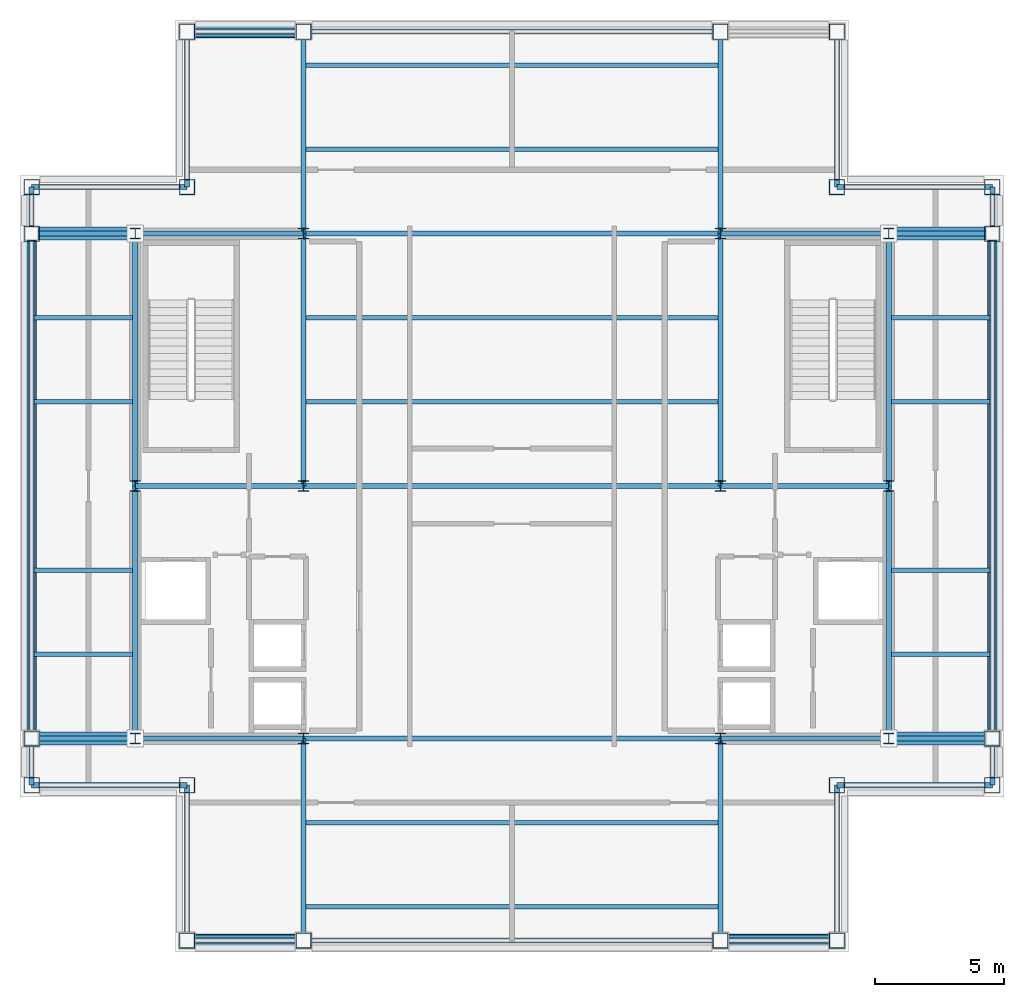
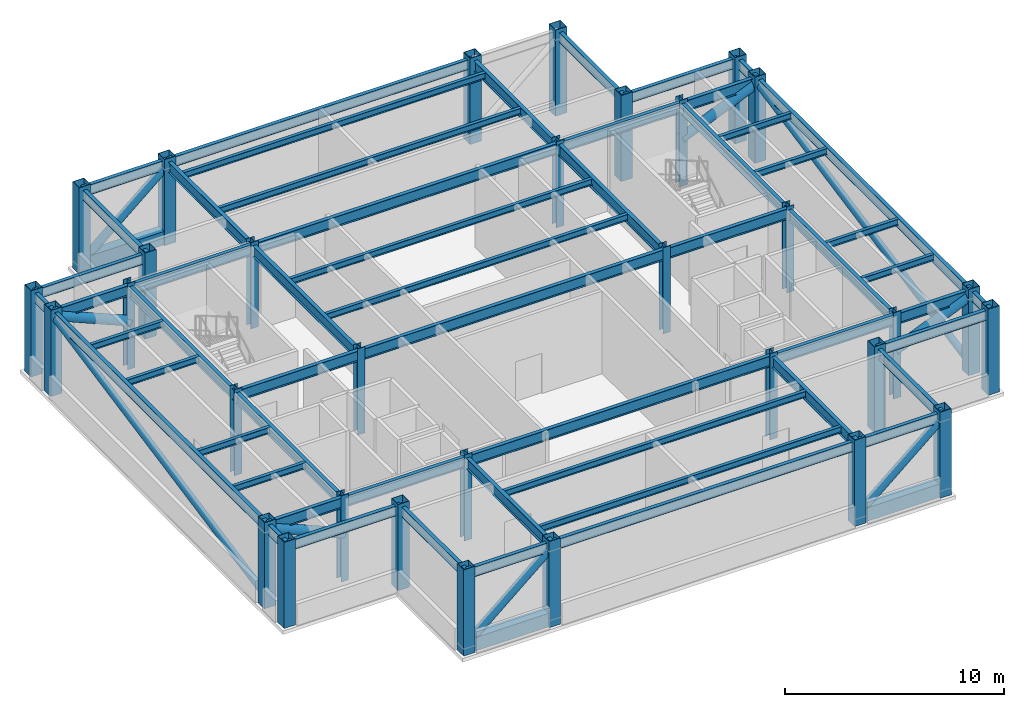
# One storey, part 1 of 6: 56 beams, 32 columns, 12 members.
"""IFC4 building model written with IfcOpenShell, lengths in metres."""

from ifc_helpers import new_model, si_unit, direction, frame, origin, origin_2d, place, context, subcontext, project, spatial, hollow_rectangle, hollow_circle, i_section, extrude, material, material_profile, profile_set, type_object, element, save


model = new_model("IFC4")

# Units and contexts
model_context = context("Model", 3, precision=1e-05, world=origin(), true_north=direction((0.0, 1.0)))
body_context = subcontext(model_context, "Body", "Model", "MODEL_VIEW")
ifc_project = project(units=[si_unit("LENGTHUNIT", "METRE"), si_unit("AREAUNIT", "SQUARE_METRE"), si_unit("VOLUMEUNIT", "CUBIC_METRE"), si_unit("PLANEANGLEUNIT", "RADIAN"), si_unit("MASSUNIT", "GRAM", prefix="KILO")], contexts=[model_context])

# Site, building, storey
site_placement = place(None, origin())
site = spatial("IfcSite", under=ifc_project, at=site_placement, CompositionType="ELEMENT")
building_placement = place(site_placement, origin())
building = spatial("IfcBuilding", under=site, at=building_placement, Name="Brelmoor Portico Tower", CompositionType="ELEMENT")
storey_placement = place(building_placement, frame((0.0, 0.0, 276.0)))
storey = spatial("IfcBuildingStorey", under=building, at=storey_placement, Name="L73", CompositionType="ELEMENT", Elevation=276.0)

# Columns
ifc_material = material(Name="Steel Q355B", Category="steel")
ifc_material_profile_1 = material_profile(ifc_material, hollow_rectangle(XDim=0.60009765625, YDim=0.60009765625, WallThickness=0.02490234375, at=origin_2d()), Name="BOX 600x600x25")
ifc_profile_set_1 = profile_set([ifc_material_profile_1], Name="Steel Q355B")
column_type_1 = type_object("IfcColumnType", Name="COL-MEGA-600", PredefinedType="COLUMN", material=ifc_profile_set_1)
for number, where, z_axis, x_axis, name in (
    (1, (-12.550048828125, -17.550048828125, 0.0), (0.0, 0.0, 1.0), (1.0, 0.0, 0.0), "L73 Perimeter Mega-Column PS01"),
    (2, (-8.050048828125, -17.550048828125, 0.0), (0.0, 0.0, 1.0), (1.0, 0.0, 0.0), "L73 Perimeter Mega-Column PS02"),
    (3, (8.050048828125, -17.550048828125, 0.0), (0.0, 0.0, 1.0), (1.0, 0.0, 0.0), "L73 Perimeter Mega-Column PS03"),
    (4, (12.550048828125, -17.550048828125, 0.0), (0.0, 0.0, 1.0), (1.0, 0.0, 0.0), "L73 Perimeter Mega-Column PS04"),
    (5, (-12.550048828125, 17.550048828125, 0.0), (0.0, 0.0, 1.0), (1.0, 0.0, 0.0), "L73 Perimeter Mega-Column PN01"),
    (6, (-8.050048828125, 17.550048828125, 0.0), (0.0, 0.0, 1.0), (1.0, 0.0, 0.0), "L73 Perimeter Mega-Column PN02"),
    (7, (8.050048828125, 17.550048828125, 0.0), (0.0, 0.0, 1.0), (1.0, 0.0, 0.0), "L73 Perimeter Mega-Column PN03"),
    (8, (12.550048828125, 17.550048828125, 0.0), (0.0, 0.0, 1.0), (1.0, 0.0, 0.0), "L73 Perimeter Mega-Column PN04"),
    (9, (-18.550048828125, -11.550048828125, 0.0), (0.0, 0.0, 1.0), (0.0, 1.0, 0.0), "L73 Perimeter Mega-Column PW01"),
    (10, (-18.550048828125, -9.75, 0.0), (0.0, 0.0, 1.0), (0.0, 1.0, 0.0), "L73 Perimeter Mega-Column PW02"),
    (11, (-18.550048828125, 9.75, 0.0), (0.0, 0.0, 1.0), (0.0, 1.0, 0.0), "L73 Perimeter Mega-Column PW03"),
    (12, (-18.550048828125, 11.550048828125, 0.0), (0.0, 0.0, 1.0), (0.0, 1.0, 0.0), "L73 Perimeter Mega-Column PW04"),
    (13, (18.550048828125, -11.550048828125, 0.0), (0.0, 0.0, 1.0), (0.0, 1.0, 0.0), "L73 Perimeter Mega-Column PE01"),
    (14, (18.550048828125, -9.75, 0.0), (0.0, 0.0, 1.0), (0.0, 1.0, 0.0), "L73 Perimeter Mega-Column PE02"),
    (15, (18.550048828125, 9.75, 0.0), (0.0, 0.0, 1.0), (0.0, 1.0, 0.0), "L73 Perimeter Mega-Column PE03"),
    (16, (18.550048828125, 11.550048828125, 0.0), (0.0, 0.0, 1.0), (0.0, 1.0, 0.0), "L73 Perimeter Mega-Column PE04"),
    (17, (-12.550048828125, 11.550048828125, 0.0), (0.0, 0.0, 1.0), (1.0, 0.0, 0.0), "L73 Perimeter Mega-Column PC-NW"),
    (18, (12.550048828125, 11.550048828125, 0.0), (0.0, 0.0, 1.0), (1.0, 0.0, 0.0), "L73 Perimeter Mega-Column PC-NE"),
    (19, (12.550048828125, -11.550048828125, 0.0), (0.0, 0.0, 1.0), (1.0, 0.0, 0.0), "L73 Perimeter Mega-Column PC-SE"),
    (20, (-12.550048828125, -11.550048828125, 0.0), (0.0, 0.0, 1.0), (1.0, 0.0, 0.0), "L73 Perimeter Mega-Column PC-SW"),
):
    element("IfcColumn", number, at=place(storey_placement, frame(where, z_axis=z_axis, x_axis=x_axis)), inside=storey, type_object=column_type_1, Name=name, PredefinedType="COLUMN", context=body_context, shape_type="SweptSolid", body=[
        extrude(hollow_rectangle(XDim=0.60009765625, YDim=0.60009765625, WallThickness=0.02490234375, at=origin_2d()), origin(), (0.0, 0.0, 1.0), 4.800048828125),
    ])
ifc_material_profile_2 = material_profile(ifc_material, i_section(OverallWidth=0.39990234375, OverallDepth=0.39990234375, WebThickness=0.012939453125, FlangeThickness=0.02099609375, at=origin_2d()), Name="HW 400x400x13x21")
ifc_profile_set_2 = profile_set([ifc_material_profile_2], Name="Steel Q355B")
column_type_2 = type_object("IfcColumnType", Name="COL-SPINE-400", PredefinedType="COLUMN", material=ifc_profile_set_2)
for number, where, z_axis, x_axis, name in (
    (21, (-14.550048828125, -9.75, 0.0), (0.0, 0.0, 1.0), (1.0, 0.0, 0.0), "L73 Core Spine Column CW-SW"),
    (22, (-14.550048828125, 0.0, 0.0), (0.0, 0.0, 1.0), (1.0, 0.0, 0.0), "L73 Core Spine Column CW-MW"),
    (23, (-14.550048828125, 9.75, 0.0), (0.0, 0.0, 1.0), (1.0, 0.0, 0.0), "L73 Core Spine Column CW-NW"),
    (24, (-8.050048828125, -9.75, 0.0), (0.0, 0.0, 1.0), (1.0, 0.0, 0.0), "L73 Core Spine Column CW-SE"),
    (25, (-8.050048828125, 0.0, 0.0), (0.0, 0.0, 1.0), (1.0, 0.0, 0.0), "L73 Core Spine Column CW-ME"),
    (26, (-8.050048828125, 9.75, 0.0), (0.0, 0.0, 1.0), (1.0, 0.0, 0.0), "L73 Core Spine Column CW-NE"),
    (27, (8.050048828125, -9.75, 0.0), (0.0, 0.0, 1.0), (1.0, 0.0, 0.0), "L73 Core Spine Column CE-SW"),
    (28, (8.050048828125, 0.0, 0.0), (0.0, 0.0, 1.0), (1.0, 0.0, 0.0), "L73 Core Spine Column CE-MW"),
    (29, (8.050048828125, 9.75, 0.0), (0.0, 0.0, 1.0), (1.0, 0.0, 0.0), "L73 Core Spine Column CE-NW"),
    (30, (14.550048828125, -9.75, 0.0), (0.0, 0.0, 1.0), (1.0, 0.0, 0.0), "L73 Core Spine Column CE-SE"),
    (31, (14.550048828125, 0.0, 0.0), (0.0, 0.0, 1.0), (1.0, 0.0, 0.0), "L73 Core Spine Column CE-ME"),
    (32, (14.550048828125, 9.75, 0.0), (0.0, 0.0, 1.0), (1.0, 0.0, 0.0), "L73 Core Spine Column CE-NE"),
):
    element("IfcColumn", number, at=place(storey_placement, frame(where, z_axis=z_axis, x_axis=x_axis)), inside=storey, type_object=column_type_2, Name=name, PredefinedType="COLUMN", context=body_context, shape_type="SweptSolid", body=[
        extrude(i_section(OverallWidth=0.39990234375, OverallDepth=0.39990234375, WebThickness=0.012939453125, FlangeThickness=0.02099609375, at=origin_2d()), origin(), (0.0, 0.0, 1.0), 4.800048828125),
    ])

# Beams
ifc_material_profile_3 = material_profile(ifc_material, i_section(OverallWidth=0.175048828125, OverallDepth=0.35009765625, WebThickness=0.007080078125, FlangeThickness=0.010986328125, at=origin_2d()), Name="HN 350x175x7x11")
ifc_profile_set_3 = profile_set([ifc_material_profile_3], Name="Steel Q355B")
beam_type_1 = type_object("IfcBeamType", Name="BM-JS-350", PredefinedType="JOIST", material=ifc_profile_set_3)
for number, where, z_axis, x_axis, name in (
    (33, (-7.949951171875, -16.25, 4.425048828125), (1.0, 0.0, 0.0), (0.0, 1.0, 0.0), "L73 Secondary Composite Joist JS-C01"),
    (34, (-7.949951171875, -13.0, 4.425048828125), (1.0, 0.0, 0.0), (0.0, 1.0, 0.0), "L73 Secondary Composite Joist JS-C02"),
    (35, (-7.949951171875, 3.25, 4.425048828125), (1.0, 0.0, 0.0), (0.0, 1.0, 0.0), "L73 Secondary Composite Joist JS-C03"),
    (36, (-7.949951171875, 6.5, 4.425048828125), (1.0, 0.0, 0.0), (0.0, 1.0, 0.0), "L73 Secondary Composite Joist JS-C04"),
    (37, (-7.949951171875, 13.0, 4.425048828125), (1.0, 0.0, 0.0), (0.0, 1.0, 0.0), "L73 Secondary Composite Joist JS-C05"),
    (38, (-7.949951171875, 16.25, 4.425048828125), (1.0, 0.0, 0.0), (0.0, 1.0, 0.0), "L73 Secondary Composite Joist JS-C06"),
):
    element("IfcBeam", number, at=place(storey_placement, frame(where, z_axis=z_axis, x_axis=x_axis)), inside=storey, type_object=beam_type_1, Name=name, PredefinedType="JOIST", context=body_context, shape_type="SweptSolid", body=[
        extrude(i_section(OverallWidth=0.175048828125, OverallDepth=0.35009765625, WebThickness=0.007080078125, FlangeThickness=0.010986328125, at=origin_2d()), origin(), (0.0, 0.0, 1.0), 15.89990234375),
    ])
for number, where, z_axis, x_axis, name in (
    (39, (-18.449951171875, -6.5, 4.425048828125), (1.0, 0.0, 0.0), (0.0, 1.0, 0.0), "L73 Secondary Wing Joist JS-W07"),
    (40, (-18.449951171875, -3.25, 4.425048828125), (1.0, 0.0, 0.0), (0.0, 1.0, 0.0), "L73 Secondary Wing Joist JS-W08"),
    (41, (-18.449951171875, 3.25, 4.425048828125), (1.0, 0.0, 0.0), (0.0, 1.0, 0.0), "L73 Secondary Wing Joist JS-W09"),
    (42, (-18.449951171875, 6.5, 4.425048828125), (1.0, 0.0, 0.0), (0.0, 1.0, 0.0), "L73 Secondary Wing Joist JS-W10"),
    (43, (14.64990234375, -6.5, 4.425048828125), (1.0, 0.0, 0.0), (0.0, 1.0, 0.0), "L73 Secondary Wing Joist JS-E11"),
    (44, (14.64990234375, -3.25, 4.425048828125), (1.0, 0.0, 0.0), (0.0, 1.0, 0.0), "L73 Secondary Wing Joist JS-E12"),
    (45, (14.64990234375, 3.25, 4.425048828125), (1.0, 0.0, 0.0), (0.0, 1.0, 0.0), "L73 Secondary Wing Joist JS-E13"),
    (46, (14.64990234375, 6.5, 4.425048828125), (1.0, 0.0, 0.0), (0.0, 1.0, 0.0), "L73 Secondary Wing Joist JS-E14"),
):
    element("IfcBeam", number, at=place(storey_placement, frame(where, z_axis=z_axis, x_axis=x_axis)), inside=storey, type_object=beam_type_1, Name=name, PredefinedType="JOIST", context=body_context, shape_type="SweptSolid", body=[
        extrude(i_section(OverallWidth=0.175048828125, OverallDepth=0.35009765625, WebThickness=0.007080078125, FlangeThickness=0.010986328125, at=origin_2d()), origin(), (0.0, 0.0, 1.0), 3.800048828125),
    ])
ifc_material_profile_4 = material_profile(ifc_material, i_section(OverallWidth=0.199951171875, OverallDepth=0.60009765625, WebThickness=0.010986328125, FlangeThickness=0.01708984375, at=origin_2d()), Name="HN 600x200x11x17")
ifc_profile_set_4 = profile_set([ifc_material_profile_4], Name="Steel Q355B")
beam_type_2 = type_object("IfcBeamType", Name="BM-PG-600", PredefinedType="BEAM", material=ifc_profile_set_4)
for number, where, z_axis, x_axis, name in (
    (47, (-14.550048828125, -9.75, 4.300048828125), (0.0, 1.0, 0.0), (-1.0, 0.0, 0.0), "L73 Primary Floor Girder PG-01"),
    (48, (-14.550048828125, 0.0, 4.300048828125), (0.0, 1.0, 0.0), (-1.0, 0.0, 0.0), "L73 Primary Floor Girder PG-02"),
):
    element("IfcBeam", number, at=place(storey_placement, frame(where, z_axis=z_axis, x_axis=x_axis)), inside=storey, type_object=beam_type_2, Name=name, PredefinedType="BEAM", context=body_context, shape_type="SweptSolid", body=[
        extrude(i_section(OverallWidth=0.199951171875, OverallDepth=0.60009765625, WebThickness=0.010986328125, FlangeThickness=0.01708984375, at=origin_2d()), origin(), (0.0, 0.0, 1.0), 9.75),
    ])
beam_1_placement = place(storey_placement, frame((-8.050048828125, -17.550048828125, 4.300048828125), z_axis=(0.0, 1.0, 0.0), x_axis=(-1.0, 0.0, 0.0)))
element("IfcBeam", 49, at=beam_1_placement, inside=storey, type_object=beam_type_2, Name="L73 Primary Floor Girder PG-03", PredefinedType="BEAM", context=body_context, shape_type="SweptSolid", body=[
    extrude(i_section(OverallWidth=0.199951171875, OverallDepth=0.60009765625, WebThickness=0.010986328125, FlangeThickness=0.01708984375, at=origin_2d()), origin(), (0.0, 0.0, 1.0), 7.800048828125),
])
beam_2_placement = place(storey_placement, frame((-8.050048828125, 0.0, 4.300048828125), z_axis=(0.0, 1.0, 0.0), x_axis=(-1.0, 0.0, 0.0)))
element("IfcBeam", 50, at=beam_2_placement, inside=storey, type_object=beam_type_2, Name="L73 Primary Floor Girder PG-04", PredefinedType="BEAM", context=body_context, shape_type="SweptSolid", body=[
    extrude(i_section(OverallWidth=0.199951171875, OverallDepth=0.60009765625, WebThickness=0.010986328125, FlangeThickness=0.01708984375, at=origin_2d()), origin(), (0.0, 0.0, 1.0), 9.75),
])
for number, where, z_axis, x_axis, name in (
    (51, (-8.050048828125, 9.75, 4.300048828125), (0.0, 1.0, 0.0), (-1.0, 0.0, 0.0), "L73 Primary Floor Girder PG-05"),
    (52, (8.050048828125, -17.550048828125, 4.300048828125), (0.0, 1.0, 0.0), (-1.0, 0.0, 0.0), "L73 Primary Floor Girder PG-06"),
):
    element("IfcBeam", number, at=place(storey_placement, frame(where, z_axis=z_axis, x_axis=x_axis)), inside=storey, type_object=beam_type_2, Name=name, PredefinedType="BEAM", context=body_context, shape_type="SweptSolid", body=[
        extrude(i_section(OverallWidth=0.199951171875, OverallDepth=0.60009765625, WebThickness=0.010986328125, FlangeThickness=0.01708984375, at=origin_2d()), origin(), (0.0, 0.0, 1.0), 7.800048828125),
    ])
beam_3_placement = place(storey_placement, frame((8.050048828125, 0.0, 4.300048828125), z_axis=(0.0, 1.0, 0.0), x_axis=(-1.0, 0.0, 0.0)))
element("IfcBeam", 53, at=beam_3_placement, inside=storey, type_object=beam_type_2, Name="L73 Primary Floor Girder PG-07", PredefinedType="BEAM", context=body_context, shape_type="SweptSolid", body=[
    extrude(i_section(OverallWidth=0.199951171875, OverallDepth=0.60009765625, WebThickness=0.010986328125, FlangeThickness=0.01708984375, at=origin_2d()), origin(), (0.0, 0.0, 1.0), 9.75),
])
beam_4_placement = place(storey_placement, frame((8.050048828125, 9.75, 4.300048828125), z_axis=(0.0, 1.0, 0.0), x_axis=(-1.0, 0.0, 0.0)))
element("IfcBeam", 54, at=beam_4_placement, inside=storey, type_object=beam_type_2, Name="L73 Primary Floor Girder PG-08", PredefinedType="BEAM", context=body_context, shape_type="SweptSolid", body=[
    extrude(i_section(OverallWidth=0.199951171875, OverallDepth=0.60009765625, WebThickness=0.010986328125, FlangeThickness=0.01708984375, at=origin_2d()), origin(), (0.0, 0.0, 1.0), 7.800048828125),
])
for number, where, z_axis, x_axis, name in (
    (55, (14.550048828125, -9.75, 4.300048828125), (0.0, 1.0, 0.0), (-1.0, 0.0, 0.0), "L73 Primary Floor Girder PG-09"),
    (56, (14.550048828125, 0.0, 4.300048828125), (0.0, 1.0, 0.0), (-1.0, 0.0, 0.0), "L73 Primary Floor Girder PG-10"),
):
    element("IfcBeam", number, at=place(storey_placement, frame(where, z_axis=z_axis, x_axis=x_axis)), inside=storey, type_object=beam_type_2, Name=name, PredefinedType="BEAM", context=body_context, shape_type="SweptSolid", body=[
        extrude(i_section(OverallWidth=0.199951171875, OverallDepth=0.60009765625, WebThickness=0.010986328125, FlangeThickness=0.01708984375, at=origin_2d()), origin(), (0.0, 0.0, 1.0), 9.75),
    ])
beam_5_placement = place(storey_placement, frame((-18.550048828125, -9.75, 4.300048828125), z_axis=(1.0, 0.0, 0.0), x_axis=(0.0, 1.0, 0.0)))
element("IfcBeam", 57, at=beam_5_placement, inside=storey, type_object=beam_type_2, Name="L73 Primary Floor Girder PG-11", PredefinedType="BEAM", context=body_context, shape_type="SweptSolid", body=[
    extrude(i_section(OverallWidth=0.199951171875, OverallDepth=0.60009765625, WebThickness=0.010986328125, FlangeThickness=0.01708984375, at=origin_2d()), origin(), (0.0, 0.0, 1.0), 4.0),
])
beam_6_placement = place(storey_placement, frame((-14.550048828125, -9.75, 4.300048828125), z_axis=(1.0, 0.0, 0.0), x_axis=(0.0, 1.0, 0.0)))
element("IfcBeam", 58, at=beam_6_placement, inside=storey, type_object=beam_type_2, Name="L73 Primary Floor Girder PG-12", PredefinedType="BEAM", context=body_context, shape_type="SweptSolid", body=[
    extrude(i_section(OverallWidth=0.199951171875, OverallDepth=0.60009765625, WebThickness=0.010986328125, FlangeThickness=0.01708984375, at=origin_2d()), origin(), (0.0, 0.0, 1.0), 6.5),
])
beam_7_placement = place(storey_placement, frame((-8.050048828125, -9.75, 4.300048828125), z_axis=(1.0, 0.0, 0.0), x_axis=(0.0, 1.0, 0.0)))
element("IfcBeam", 59, at=beam_7_placement, inside=storey, type_object=beam_type_2, Name="L73 Primary Floor Girder PG-13", PredefinedType="BEAM", context=body_context, shape_type="SweptSolid", body=[
    extrude(i_section(OverallWidth=0.199951171875, OverallDepth=0.60009765625, WebThickness=0.010986328125, FlangeThickness=0.01708984375, at=origin_2d()), origin(), (0.0, 0.0, 1.0), 16.10009765625),
])
beam_8_placement = place(storey_placement, frame((8.050048828125, -9.75, 4.300048828125), z_axis=(1.0, 0.0, 0.0), x_axis=(0.0, 1.0, 0.0)))
element("IfcBeam", 60, at=beam_8_placement, inside=storey, type_object=beam_type_2, Name="L73 Primary Floor Girder PG-14", PredefinedType="BEAM", context=body_context, shape_type="SweptSolid", body=[
    extrude(i_section(OverallWidth=0.199951171875, OverallDepth=0.60009765625, WebThickness=0.010986328125, FlangeThickness=0.01708984375, at=origin_2d()), origin(), (0.0, 0.0, 1.0), 6.5),
])
beam_9_placement = place(storey_placement, frame((14.550048828125, -9.75, 4.300048828125), z_axis=(1.0, 0.0, 0.0), x_axis=(0.0, 1.0, 0.0)))
element("IfcBeam", 61, at=beam_9_placement, inside=storey, type_object=beam_type_2, Name="L73 Primary Floor Girder PG-15", PredefinedType="BEAM", context=body_context, shape_type="SweptSolid", body=[
    extrude(i_section(OverallWidth=0.199951171875, OverallDepth=0.60009765625, WebThickness=0.010986328125, FlangeThickness=0.01708984375, at=origin_2d()), origin(), (0.0, 0.0, 1.0), 4.0),
])
beam_10_placement = place(storey_placement, frame((-14.550048828125, 0.0, 4.300048828125), z_axis=(1.0, 0.0, 0.0), x_axis=(0.0, 1.0, 0.0)))
element("IfcBeam", 62, at=beam_10_placement, inside=storey, type_object=beam_type_2, Name="L73 Primary Floor Girder PG-16", PredefinedType="BEAM", context=body_context, shape_type="SweptSolid", body=[
    extrude(i_section(OverallWidth=0.199951171875, OverallDepth=0.60009765625, WebThickness=0.010986328125, FlangeThickness=0.01708984375, at=origin_2d()), origin(), (0.0, 0.0, 1.0), 6.5),
])
beam_11_placement = place(storey_placement, frame((-8.050048828125, 0.0, 4.300048828125), z_axis=(1.0, 0.0, 0.0), x_axis=(0.0, 1.0, 0.0)))
element("IfcBeam", 63, at=beam_11_placement, inside=storey, type_object=beam_type_2, Name="L73 Primary Floor Girder PG-17", PredefinedType="BEAM", context=body_context, shape_type="SweptSolid", body=[
    extrude(i_section(OverallWidth=0.199951171875, OverallDepth=0.60009765625, WebThickness=0.010986328125, FlangeThickness=0.01708984375, at=origin_2d()), origin(), (0.0, 0.0, 1.0), 16.10009765625),
])
beam_12_placement = place(storey_placement, frame((8.050048828125, 0.0, 4.300048828125), z_axis=(1.0, 0.0, 0.0), x_axis=(0.0, 1.0, 0.0)))
element("IfcBeam", 64, at=beam_12_placement, inside=storey, type_object=beam_type_2, Name="L73 Primary Floor Girder PG-18", PredefinedType="BEAM", context=body_context, shape_type="SweptSolid", body=[
    extrude(i_section(OverallWidth=0.199951171875, OverallDepth=0.60009765625, WebThickness=0.010986328125, FlangeThickness=0.01708984375, at=origin_2d()), origin(), (0.0, 0.0, 1.0), 6.5),
])
beam_13_placement = place(storey_placement, frame((-18.550048828125, 9.75, 4.300048828125), z_axis=(1.0, 0.0, 0.0), x_axis=(0.0, 1.0, 0.0)))
element("IfcBeam", 65, at=beam_13_placement, inside=storey, type_object=beam_type_2, Name="L73 Primary Floor Girder PG-19", PredefinedType="BEAM", context=body_context, shape_type="SweptSolid", body=[
    extrude(i_section(OverallWidth=0.199951171875, OverallDepth=0.60009765625, WebThickness=0.010986328125, FlangeThickness=0.01708984375, at=origin_2d()), origin(), (0.0, 0.0, 1.0), 4.0),
])
beam_14_placement = place(storey_placement, frame((-14.550048828125, 9.75, 4.300048828125), z_axis=(1.0, 0.0, 0.0), x_axis=(0.0, 1.0, 0.0)))
element("IfcBeam", 66, at=beam_14_placement, inside=storey, type_object=beam_type_2, Name="L73 Primary Floor Girder PG-20", PredefinedType="BEAM", context=body_context, shape_type="SweptSolid", body=[
    extrude(i_section(OverallWidth=0.199951171875, OverallDepth=0.60009765625, WebThickness=0.010986328125, FlangeThickness=0.01708984375, at=origin_2d()), origin(), (0.0, 0.0, 1.0), 6.5),
])
beam_15_placement = place(storey_placement, frame((-8.050048828125, 9.75, 4.300048828125), z_axis=(1.0, 0.0, 0.0), x_axis=(0.0, 1.0, 0.0)))
element("IfcBeam", 67, at=beam_15_placement, inside=storey, type_object=beam_type_2, Name="L73 Primary Floor Girder PG-21", PredefinedType="BEAM", context=body_context, shape_type="SweptSolid", body=[
    extrude(i_section(OverallWidth=0.199951171875, OverallDepth=0.60009765625, WebThickness=0.010986328125, FlangeThickness=0.01708984375, at=origin_2d()), origin(), (0.0, 0.0, 1.0), 16.10009765625),
])
beam_16_placement = place(storey_placement, frame((8.050048828125, 9.75, 4.300048828125), z_axis=(1.0, 0.0, 0.0), x_axis=(0.0, 1.0, 0.0)))
element("IfcBeam", 68, at=beam_16_placement, inside=storey, type_object=beam_type_2, Name="L73 Primary Floor Girder PG-22", PredefinedType="BEAM", context=body_context, shape_type="SweptSolid", body=[
    extrude(i_section(OverallWidth=0.199951171875, OverallDepth=0.60009765625, WebThickness=0.010986328125, FlangeThickness=0.01708984375, at=origin_2d()), origin(), (0.0, 0.0, 1.0), 6.5),
])
beam_17_placement = place(storey_placement, frame((14.550048828125, 9.75, 4.300048828125), z_axis=(1.0, 0.0, 0.0), x_axis=(0.0, 1.0, 0.0)))
element("IfcBeam", 69, at=beam_17_placement, inside=storey, type_object=beam_type_2, Name="L73 Primary Floor Girder PG-23", PredefinedType="BEAM", context=body_context, shape_type="SweptSolid", body=[
    extrude(i_section(OverallWidth=0.199951171875, OverallDepth=0.60009765625, WebThickness=0.010986328125, FlangeThickness=0.01708984375, at=origin_2d()), origin(), (0.0, 0.0, 1.0), 4.0),
])
ifc_material_profile_5 = material_profile(ifc_material, i_section(OverallWidth=0.199951171875, OverallDepth=0.550048828125, WebThickness=0.010009765625, FlangeThickness=0.01611328125, at=origin_2d()), Name="HN 550x200x10x16")
ifc_profile_set_5 = profile_set([ifc_material_profile_5], Name="Steel Q355B")
beam_type_3 = type_object("IfcBeamType", Name="BM-SP-550", PredefinedType="SPANDREL", material=ifc_profile_set_5)
beam_18_placement = place(storey_placement, frame((-12.550048828125, -17.550048828125, 4.324951171875), z_axis=(1.0, 0.0, 0.0), x_axis=(0.0, 1.0, 0.0)))
element("IfcBeam", 70, at=beam_18_placement, inside=storey, type_object=beam_type_3, Name="L73 Perimeter Spandrel Beam SP-01", PredefinedType="SPANDREL", context=body_context, shape_type="SweptSolid", body=[
    extrude(i_section(OverallWidth=0.199951171875, OverallDepth=0.550048828125, WebThickness=0.010009765625, FlangeThickness=0.01611328125, at=origin_2d()), origin(), (0.0, 0.0, 1.0), 4.5),
])
beam_19_placement = place(storey_placement, frame((-8.050048828125, -17.550048828125, 4.324951171875), z_axis=(1.0, 0.0, 0.0), x_axis=(0.0, 1.0, 0.0)))
element("IfcBeam", 71, at=beam_19_placement, inside=storey, type_object=beam_type_3, Name="L73 Perimeter Spandrel Beam SP-02", PredefinedType="SPANDREL", context=body_context, shape_type="SweptSolid", body=[
    extrude(i_section(OverallWidth=0.199951171875, OverallDepth=0.550048828125, WebThickness=0.010009765625, FlangeThickness=0.01611328125, at=origin_2d()), origin(), (0.0, 0.0, 1.0), 16.10009765625),
])
beam_20_placement = place(storey_placement, frame((8.050048828125, -17.550048828125, 4.324951171875), z_axis=(1.0, 0.0, 0.0), x_axis=(0.0, 1.0, 0.0)))
element("IfcBeam", 72, at=beam_20_placement, inside=storey, type_object=beam_type_3, Name="L73 Perimeter Spandrel Beam SP-03", PredefinedType="SPANDREL", context=body_context, shape_type="SweptSolid", body=[
    extrude(i_section(OverallWidth=0.199951171875, OverallDepth=0.550048828125, WebThickness=0.010009765625, FlangeThickness=0.01611328125, at=origin_2d()), origin(), (0.0, 0.0, 1.0), 4.5),
])
for number, where, z_axis, x_axis, name in (
    (73, (-18.550048828125, -11.550048828125, 4.324951171875), (1.0, 0.0, 0.0), (0.0, 1.0, 0.0), "L73 Perimeter Spandrel Beam SP-04"),
    (74, (12.550048828125, -11.550048828125, 4.324951171875), (1.0, 0.0, 0.0), (0.0, 1.0, 0.0), "L73 Perimeter Spandrel Beam SP-05"),
    (75, (-18.550048828125, 11.550048828125, 4.324951171875), (1.0, 0.0, 0.0), (0.0, 1.0, 0.0), "L73 Perimeter Spandrel Beam SP-06"),
    (76, (12.550048828125, 11.550048828125, 4.324951171875), (1.0, 0.0, 0.0), (0.0, 1.0, 0.0), "L73 Perimeter Spandrel Beam SP-07"),
):
    element("IfcBeam", number, at=place(storey_placement, frame(where, z_axis=z_axis, x_axis=x_axis)), inside=storey, type_object=beam_type_3, Name=name, PredefinedType="SPANDREL", context=body_context, shape_type="SweptSolid", body=[
        extrude(i_section(OverallWidth=0.199951171875, OverallDepth=0.550048828125, WebThickness=0.010009765625, FlangeThickness=0.01611328125, at=origin_2d()), origin(), (0.0, 0.0, 1.0), 6.0),
    ])
beam_21_placement = place(storey_placement, frame((-12.550048828125, 17.550048828125, 4.324951171875), z_axis=(1.0, 0.0, 0.0), x_axis=(0.0, 1.0, 0.0)))
element("IfcBeam", 77, at=beam_21_placement, inside=storey, type_object=beam_type_3, Name="L73 Perimeter Spandrel Beam SP-08", PredefinedType="SPANDREL", context=body_context, shape_type="SweptSolid", body=[
    extrude(i_section(OverallWidth=0.199951171875, OverallDepth=0.550048828125, WebThickness=0.010009765625, FlangeThickness=0.01611328125, at=origin_2d()), origin(), (0.0, 0.0, 1.0), 4.5),
])
beam_22_placement = place(storey_placement, frame((-8.050048828125, 17.550048828125, 4.324951171875), z_axis=(1.0, 0.0, 0.0), x_axis=(0.0, 1.0, 0.0)))
element("IfcBeam", 78, at=beam_22_placement, inside=storey, type_object=beam_type_3, Name="L73 Perimeter Spandrel Beam SP-09", PredefinedType="SPANDREL", context=body_context, shape_type="SweptSolid", body=[
    extrude(i_section(OverallWidth=0.199951171875, OverallDepth=0.550048828125, WebThickness=0.010009765625, FlangeThickness=0.01611328125, at=origin_2d()), origin(), (0.0, 0.0, 1.0), 16.10009765625),
])
beam_23_placement = place(storey_placement, frame((-18.550048828125, -11.550048828125, 4.324951171875), z_axis=(0.0, 1.0, 0.0), x_axis=(-1.0, 0.0, 0.0)))
element("IfcBeam", 79, at=beam_23_placement, inside=storey, type_object=beam_type_3, Name="L73 Perimeter Spandrel Beam SP-11", PredefinedType="SPANDREL", context=body_context, shape_type="SweptSolid", body=[
    extrude(i_section(OverallWidth=0.199951171875, OverallDepth=0.550048828125, WebThickness=0.010009765625, FlangeThickness=0.01611328125, at=origin_2d()), origin(), (0.0, 0.0, 1.0), 1.800048828125),
])
beam_24_placement = place(storey_placement, frame((-18.550048828125, -9.75, 4.324951171875), z_axis=(0.0, 1.0, 0.0), x_axis=(-1.0, 0.0, 0.0)))
element("IfcBeam", 80, at=beam_24_placement, inside=storey, type_object=beam_type_3, Name="L73 Perimeter Spandrel Beam SP-12", PredefinedType="SPANDREL", context=body_context, shape_type="SweptSolid", body=[
    extrude(i_section(OverallWidth=0.199951171875, OverallDepth=0.550048828125, WebThickness=0.010009765625, FlangeThickness=0.01611328125, at=origin_2d()), origin(), (0.0, 0.0, 1.0), 19.5),
])
beam_25_placement = place(storey_placement, frame((-18.550048828125, 9.75, 4.324951171875), z_axis=(0.0, 1.0, 0.0), x_axis=(-1.0, 0.0, 0.0)))
element("IfcBeam", 81, at=beam_25_placement, inside=storey, type_object=beam_type_3, Name="L73 Perimeter Spandrel Beam SP-13", PredefinedType="SPANDREL", context=body_context, shape_type="SweptSolid", body=[
    extrude(i_section(OverallWidth=0.199951171875, OverallDepth=0.550048828125, WebThickness=0.010009765625, FlangeThickness=0.01611328125, at=origin_2d()), origin(), (0.0, 0.0, 1.0), 1.800048828125),
])
for number, where, z_axis, x_axis, name in (
    (82, (-12.550048828125, -17.550048828125, 4.324951171875), (0.0, 1.0, 0.0), (-1.0, 0.0, 0.0), "L73 Perimeter Spandrel Beam SP-14"),
    (83, (-12.550048828125, 11.550048828125, 4.324951171875), (0.0, 1.0, 0.0), (-1.0, 0.0, 0.0), "L73 Perimeter Spandrel Beam SP-15"),
    (84, (12.550048828125, -17.550048828125, 4.324951171875), (0.0, 1.0, 0.0), (-1.0, 0.0, 0.0), "L73 Perimeter Spandrel Beam SP-16"),
    (85, (12.550048828125, 11.550048828125, 4.324951171875), (0.0, 1.0, 0.0), (-1.0, 0.0, 0.0), "L73 Perimeter Spandrel Beam SP-17"),
):
    element("IfcBeam", number, at=place(storey_placement, frame(where, z_axis=z_axis, x_axis=x_axis)), inside=storey, type_object=beam_type_3, Name=name, PredefinedType="SPANDREL", context=body_context, shape_type="SweptSolid", body=[
        extrude(i_section(OverallWidth=0.199951171875, OverallDepth=0.550048828125, WebThickness=0.010009765625, FlangeThickness=0.01611328125, at=origin_2d()), origin(), (0.0, 0.0, 1.0), 6.0),
    ])
beam_26_placement = place(storey_placement, frame((18.550048828125, -11.550048828125, 4.324951171875), z_axis=(0.0, 1.0, 0.0), x_axis=(-1.0, 0.0, 0.0)))
element("IfcBeam", 86, at=beam_26_placement, inside=storey, type_object=beam_type_3, Name="L73 Perimeter Spandrel Beam SP-18", PredefinedType="SPANDREL", context=body_context, shape_type="SweptSolid", body=[
    extrude(i_section(OverallWidth=0.199951171875, OverallDepth=0.550048828125, WebThickness=0.010009765625, FlangeThickness=0.01611328125, at=origin_2d()), origin(), (0.0, 0.0, 1.0), 1.800048828125),
])
beam_27_placement = place(storey_placement, frame((18.550048828125, -9.75, 4.324951171875), z_axis=(0.0, 1.0, 0.0), x_axis=(-1.0, 0.0, 0.0)))
element("IfcBeam", 87, at=beam_27_placement, inside=storey, type_object=beam_type_3, Name="L73 Perimeter Spandrel Beam SP-19", PredefinedType="SPANDREL", context=body_context, shape_type="SweptSolid", body=[
    extrude(i_section(OverallWidth=0.199951171875, OverallDepth=0.550048828125, WebThickness=0.010009765625, FlangeThickness=0.01611328125, at=origin_2d()), origin(), (0.0, 0.0, 1.0), 19.5),
])
beam_28_placement = place(storey_placement, frame((18.550048828125, 9.75, 4.324951171875), z_axis=(0.0, 1.0, 0.0), x_axis=(-1.0, 0.0, 0.0)))
element("IfcBeam", 88, at=beam_28_placement, inside=storey, type_object=beam_type_3, Name="L73 Perimeter Spandrel Beam SP-20", PredefinedType="SPANDREL", context=body_context, shape_type="SweptSolid", body=[
    extrude(i_section(OverallWidth=0.199951171875, OverallDepth=0.550048828125, WebThickness=0.010009765625, FlangeThickness=0.01611328125, at=origin_2d()), origin(), (0.0, 0.0, 1.0), 1.800048828125),
])

# Members
ifc_material_profile_6 = material_profile(ifc_material, hollow_rectangle(XDim=0.5, YDim=0.75, WallThickness=0.030029296875, at=origin_2d()), Name="RHS 500x750x30")
ifc_profile_set_6 = profile_set([ifc_material_profile_6], Name="Steel Q355B")
member_type_1 = type_object("IfcMemberType", Name="MB-BELT-CHORD", PredefinedType="CHORD", material=ifc_profile_set_6)
for number, where, z_axis, x_axis, name in (
    (89, (-12.550048828125, -17.550048828125, 0.39990234375), (1.0, 0.0, 0.0), (0.0, 1.0, 0.0), "L73 Belt Truss Bottom Chord BC-01"),
    (90, (8.050048828125, -17.550048828125, 0.39990234375), (1.0, 0.0, 0.0), (0.0, 1.0, 0.0), "L73 Belt Truss Bottom Chord BC-02"),
    (91, (-12.550048828125, 17.550048828125, 0.39990234375), (1.0, 0.0, 0.0), (0.0, 1.0, 0.0), "L73 Belt Truss Bottom Chord BC-03"),
):
    element("IfcMember", number, at=place(storey_placement, frame(where, z_axis=z_axis, x_axis=x_axis)), inside=storey, type_object=member_type_1, Name=name, PredefinedType="CHORD", context=body_context, shape_type="SweptSolid", body=[
        extrude(hollow_rectangle(XDim=0.5, YDim=0.75, WallThickness=0.030029296875, at=origin_2d()), origin(), (0.0, 0.0, 1.0), 4.5),
    ])
ifc_material_profile_7 = material_profile(ifc_material, hollow_circle(Radius=0.212890625, WallThickness=0.02001953125, at=origin_2d()), Name="CHS 426x20")
ifc_profile_set_7 = profile_set([ifc_material_profile_7], Name="Steel Q355B")
member_type_2 = type_object("IfcMemberType", Name="MB-BELT-DIAG1", PredefinedType="BRACE", material=ifc_profile_set_7)
for number, where, z_axis, x_axis, name in (
    (92, (-12.550048828125, -17.550048828125, 0.39990234375), (0.759844100981, 0.0, 0.650105331623), (0.0, 1.0, 0.0), "L73 Belt Truss Diagonal BT-01A"),
    (93, (8.050048828125, -17.550048828125, 0.39990234375), (0.759844100981, 0.0, 0.650105331623), (0.0, 1.0, 0.0), "L73 Belt Truss Diagonal BT-02A"),
    (94, (-12.550048828125, 17.550048828125, 0.39990234375), (0.759844100981, 0.0, 0.650105331623), (0.0, 1.0, 0.0), "L73 Belt Truss Diagonal BT-03A"),
):
    element("IfcMember", number, at=place(storey_placement, frame(where, z_axis=z_axis, x_axis=x_axis)), inside=storey, type_object=member_type_2, Name=name, PredefinedType="BRACE", context=body_context, shape_type="SweptSolid", body=[
        extrude(hollow_circle(Radius=0.212890625, WallThickness=0.02001953125, at=origin_2d()), origin(), (0.0, 0.0, 1.0), 5.92236328125),
    ])
ifc_material_profile_8 = material_profile(ifc_material, hollow_circle(Radius=0.177978515625, WallThickness=0.01611328125, at=origin_2d()), Name="CHS 356x16")
ifc_profile_set_8 = profile_set([ifc_material_profile_8], Name="Steel Q355B")
member_type_3 = type_object("IfcMemberType", Name="MB-BELT-DIAG2", PredefinedType="BRACE", material=ifc_profile_set_8)
for number, where, z_axis, x_axis, name in (
    (95, (-18.550048828125, -9.75, 0.39990234375), (0.0, 0.98106051694, 0.193701476765), (-1.0, 0.0, 0.0), "L73 Belt Truss Diagonal BT-05B"),
    (96, (18.550048828125, -9.75, 0.39990234375), (0.0, 0.98106051694, 0.193701476765), (-1.0, 0.0, 0.0), "L73 Belt Truss Diagonal BT-06B"),
):
    element("IfcMember", number, at=place(storey_placement, frame(where, z_axis=z_axis, x_axis=x_axis)), inside=storey, type_object=member_type_3, Name=name, PredefinedType="BRACE", context=body_context, shape_type="SweptSolid", body=[
        extrude(hollow_circle(Radius=0.177978515625, WallThickness=0.01611328125, at=origin_2d()), origin(), (0.0, 0.0, 1.0), 19.87646484375),
    ])
ifc_material_profile_9 = material_profile(ifc_material, hollow_circle(Radius=0.25390625, WallThickness=0.02490234375, at=origin_2d()), Name="CHS 508x25")
ifc_profile_set_9 = profile_set([ifc_material_profile_9], Name="Steel Q355B")
member_type_4 = type_object("IfcMemberType", Name="MB-OUTRIGGER-1", PredefinedType="BRACE", material=ifc_profile_set_9)
for number, where, z_axis, x_axis, name in (
    (97, (-14.550048828125, -9.75, 2.550048828125), (-0.920334962612, 0.0, 0.391131124553), (0.0, -1.0, 0.0), "L73 Outrigger Truss Diagonal OT-01"),
    (98, (14.550048828125, -9.75, 2.550048828125), (0.920334962612, 0.0, 0.391131124553), (0.0, 1.0, 0.0), "L73 Outrigger Truss Diagonal OT-02"),
    (99, (-14.550048828125, 9.75, 2.550048828125), (-0.920334962612, 0.0, 0.391131124553), (0.0, -1.0, 0.0), "L73 Outrigger Truss Diagonal OT-03"),
    (100, (14.550048828125, 9.75, 2.550048828125), (0.920334962612, 0.0, 0.391131124553), (0.0, 1.0, 0.0), "L73 Outrigger Truss Diagonal OT-04"),
):
    element("IfcMember", number, at=place(storey_placement, frame(where, z_axis=z_axis, x_axis=x_axis)), inside=storey, type_object=member_type_4, Name=name, PredefinedType="BRACE", context=body_context, shape_type="SweptSolid", body=[
        extrude(hollow_circle(Radius=0.25390625, WallThickness=0.02490234375, at=origin_2d()), origin(), (0.0, 0.0, 1.0), 4.34619140625),
    ])

save(model, "model.ifc")
